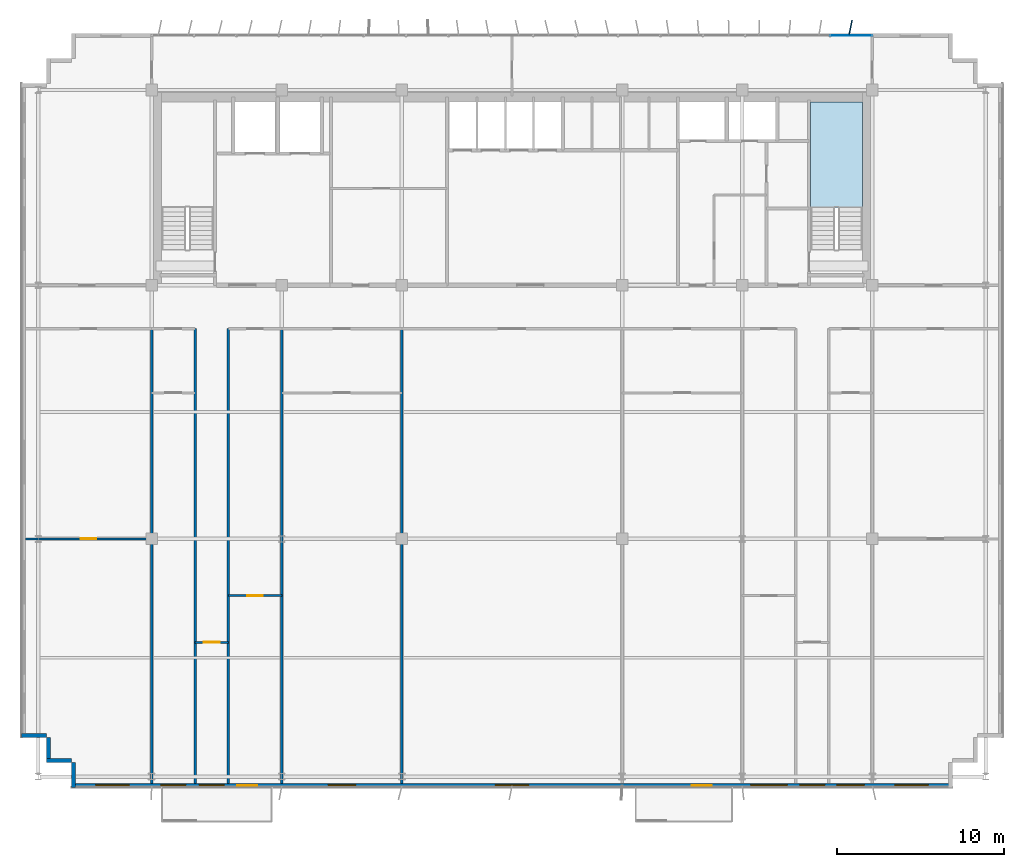
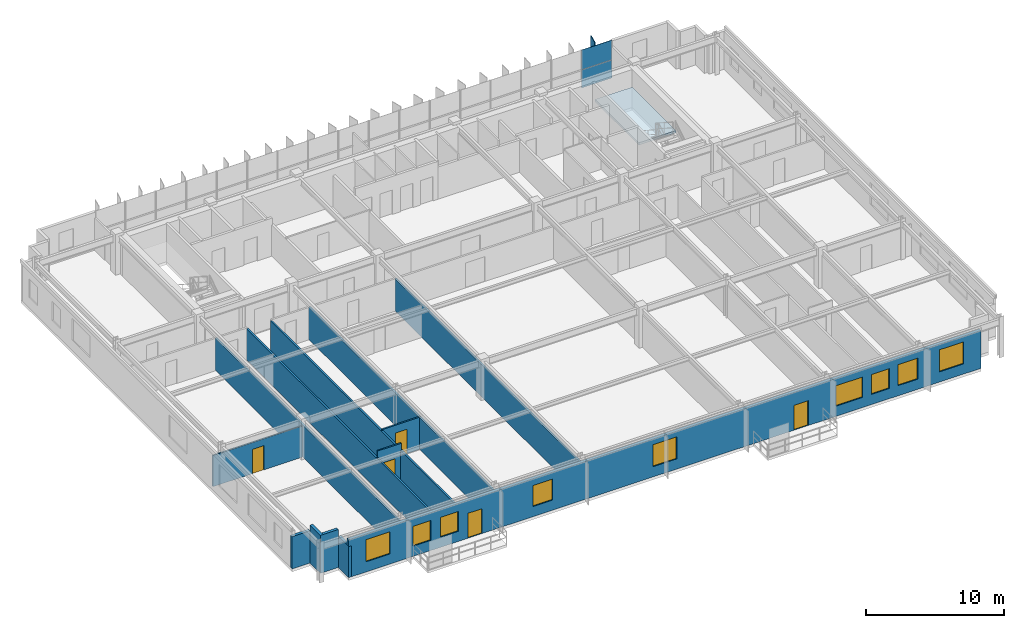
# One storey, part 14 of 20: 13 walls, 9 windows, 5 doors, 3 plates, 1 slab, 14 openings, 2 elements without a shape of their own.
"""IFC4 building model written with IfcOpenShell, lengths in metres."""

from ifc_helpers import new_model, si_unit, direction, frame, frame_2d, origin, origin_2d, place, context, subcontext, project, spatial, polyline, rectangle, outline, extrude, source, transform, mapped, material, layer, layer_set, type_object, element, fill, aggregate, save


model = new_model("IFC4")

# Units and contexts
model_context = context("Model", 3, precision=1e-05, world=origin(), true_north=direction((0.0, 1.0)))
body_context = subcontext(model_context, "Body", "Model", "MODEL_VIEW")
ifc_project = project(units=[si_unit("LENGTHUNIT", "METRE"), si_unit("AREAUNIT", "SQUARE_METRE"), si_unit("VOLUMEUNIT", "CUBIC_METRE"), si_unit("PLANEANGLEUNIT", "RADIAN"), si_unit("MASSUNIT", "GRAM", prefix="KILO")], contexts=[model_context])

# Site, building, storey
site_placement = place(None, origin())
site = spatial("IfcSite", under=ifc_project, at=site_placement, CompositionType="ELEMENT")
building_placement = place(site_placement, origin())
building = spatial("IfcBuilding", under=site, at=building_placement, Name="Trelvane Seafront Commons", CompositionType="ELEMENT")
storey_placement = place(building_placement, frame((0.0, 0.0, 146.5)))
storey = spatial("IfcBuildingStorey", under=building, at=storey_placement, Name="L38", CompositionType="ELEMENT", Elevation=146.5)

# Stair, slab
ifc_material_1 = material(Name="Concrete C40/50", Category="concrete")
stair_type = type_object("IfcStairType", Name="ARCH-STR-ST-2-R20-180", PredefinedType="HALF_TURN_STAIR", material=ifc_material_1)
stair_placement = place(storey_placement, origin())
stair = element("IfcStair", 1, at=stair_placement, inside=storey, type_object=stair_type, Name="L38 East Protected Firefighting Exit Stair ST-2", PredefinedType="HALF_TURN_STAIR")
ifc_layer_1 = layer(ifc_material_1, 0.199951171875, Name="ARCH-LND-200")
ifc_layer_set_1 = layer_set([ifc_layer_1], Name="Concrete C40/50")
slab_type = type_object("IfcSlabType", Name="ARCH-LND-200", PredefinedType="LANDING", material=ifc_layer_set_1)
slab_placement = place(storey_placement, frame((0.0, 0.0, 1.60009765625)))
slab = element("IfcSlab", 2, at=slab_placement, type_object=slab_type, Name="ST-2 landing 1", PredefinedType="LANDING", context=body_context, shape_type="SweptSolid", body=[
    extrude(outline(polyline([(58.199951171875, 38.070068359375), (58.199951171875, 44.39990234375), (55.10009765625, 44.39990234375), (55.10009765625, 38.070068359375), (58.199951171875, 38.070068359375)])), origin(), (0.0, 0.0, 1.0), 0.199951171875),
])
aggregate(stair, [slab])

# Plate
ifc_material_2 = material(Name="Anodised pale-silver aluminium", Category="aluminium")
ifc_layer_2 = layer(ifc_material_2, 0.06005859375, Name="ARCH-PLATE-FIN900")
ifc_layer_set_2 = layer_set([ifc_layer_2], Name="Anodised pale-silver aluminium")
plate_type_1 = type_object("IfcPlateType", Name="ARCH-PLATE-FIN900", PredefinedType="USERDEFINED", material=ifc_layer_set_2)
shared_shape_1 = source(origin(), body_context, "Body", "SweptSolid", [
    extrude(rectangle(XDim=0.89990234375, YDim=0.06005859375, at=origin_2d()), origin(), (0.0, 0.0, 1.0), 3.639892578125),
])
plate_1_placement = place(storey_placement, frame((57.490478515625, 48.8408203125, -0.02001953125), z_axis=(0.0, 0.0, 1.0), x_axis=(0.201113824319, 0.979567879051, 0.0)))
element("IfcPlate", 3, at=plate_1_placement, inside=storey, type_object=plate_type_1, Name="FIN-L38-01053", ObjectType="FIN", PredefinedType="USERDEFINED", context=body_context, shape_type="MappedRepresentation", body=[
    mapped(shared_shape_1, transform((0.0, 0.0, 0.0), x_axis=(1.0, 0.0, 0.0), y_axis=(0.0, 1.0, 0.0), z_axis=(0.0, 0.0, 1.0), scale=1.0)),
])

# Curtain wall, plates
curtain_wall_type = type_object("IfcCurtainWallType", Name="ARCH-CW5-UPTOWER", PredefinedType="NOTDEFINED", material=ifc_material_2)
curtain_wall_placement = place(storey_placement, origin())
curtain_wall = element("IfcCurtainWall", 4, at=curtain_wall_placement, inside=storey, type_object=curtain_wall_type, Name="CW-L38-0065", PredefinedType="NOTDEFINED")
ifc_material_3 = material(Name="Low-E coastal double glazing", Category="glass")
ifc_layer_3 = layer(ifc_material_3, 0.033935546875, Name="ARCH-CW-GLAZ-34")
ifc_layer_set_3 = layer_set([ifc_layer_3], Name="Low-E coastal double glazing")
plate_type_2 = type_object("IfcPlateType", Name="ARCH-CW-GLAZ-34", PredefinedType="CURTAIN_PANEL", material=ifc_layer_set_3)
shared_shape_2 = source(origin(), body_context, "Body", "SweptSolid", [
    extrude(rectangle(XDim=2.51708984375, YDim=0.033935546875, at=origin_2d()), origin(), (0.0, 0.0, 1.0), 1.590087890625),
])
plate_2_placement = place(storey_placement, frame((57.529296875, 48.3701171875, 0.0), z_axis=(0.0, 0.0, 1.0), x_axis=(1.0, 0.0, 0.0)))
plate_2 = element("IfcPlate", 5, at=plate_2_placement, type_object=plate_type_2, Name="CW-L38-0065-P16-1", PredefinedType="CURTAIN_PANEL", context=body_context, shape_type="MappedRepresentation", body=[
    mapped(shared_shape_2, transform((0.0, 0.0, 0.0), x_axis=(1.0, 0.0, 0.0), y_axis=(0.0, 1.0, 0.0), z_axis=(0.0, 0.0, 1.0), scale=1.0)),
])
shared_shape_3 = source(origin(), body_context, "Body", "SweptSolid", [
    extrude(rectangle(XDim=2.51708984375, YDim=0.033935546875, at=origin_2d()), origin(), (0.0, 0.0, 1.0), 1.72412109375),
])
plate_3_placement = place(storey_placement, frame((57.529296875, 48.3701171875, 1.6259765625), z_axis=(0.0, 0.0, 1.0), x_axis=(1.0, 0.0, 0.0)))
plate_3 = element("IfcPlate", 6, at=plate_3_placement, type_object=plate_type_2, Name="CW-L38-0065-P16-2", PredefinedType="CURTAIN_PANEL", context=body_context, shape_type="MappedRepresentation", body=[
    mapped(shared_shape_3, transform((0.0, 0.0, 0.0), x_axis=(1.0, 0.0, 0.0), y_axis=(0.0, 1.0, 0.0), z_axis=(0.0, 0.0, 1.0), scale=1.0)),
])
aggregate(curtain_wall, [plate_2, plate_3])

# Walls
ifc_material_4 = material(Name="Precast concrete C40/50", Category="concrete")
ifc_layer_4 = layer(ifc_material_4, 0.239990234375, Name="ARCH-WALL-EXT240")
ifc_layer_set_4 = layer_set([ifc_layer_4], Name="Precast concrete C40/50")
wall_type_1 = type_object("IfcWallType", Name="ARCH-WALL-EXT240", PredefinedType="SOLIDWALL", material=ifc_layer_set_4)
for number, where, z_axis, x_axis, name in (
    (7, (10.800048828125, 4.919921875, 0.0), (0.0, 0.0, 1.0), (-1.0, 0.0, 0.0), "EW-L38-00739"),
    (8, (9.419921875, 4.800048828125, 0.0), (0.0, 0.0, 1.0), (0.0, 1.0, 0.0), "EW-L38-00740"),
):
    element("IfcWall", number, at=place(storey_placement, frame(where, z_axis=z_axis, x_axis=x_axis)), inside=storey, type_object=wall_type_1, Name=name, PredefinedType="SOLIDWALL", context=body_context, shape_type="SweptSolid", body=[
        extrude(rectangle(XDim=1.5, YDim=0.239990234375, at=frame_2d((0.75, 0.0))), origin(), (0.0, 0.0, 1.0), 3.35009765625),
    ])
wall_1_placement = place(storey_placement, frame((9.300048828125, 6.419921875, 0.0), z_axis=(0.0, 0.0, 1.0), x_axis=(-1.0, 0.0, 0.0)))
element("IfcWall", 9, at=wall_1_placement, inside=storey, type_object=wall_type_1, Name="EW-L38-00741", PredefinedType="SOLIDWALL", context=body_context, shape_type="SweptSolid", body=[
    extrude(rectangle(XDim=1.5, YDim=0.239990234375, at=frame_2d((0.75, 0.0))), origin(), (0.0, 0.0, 1.0), 2.85009765625),
])

# Wall, openings, doors, windows
wall_2_placement = place(storey_placement, frame((63.60009765625, 3.419921875, 0.0), z_axis=(0.0, 0.0, 1.0), x_axis=(-1.0, 0.0, 0.0)))
wall_2 = element("IfcWall", 10, at=wall_2_placement, inside=storey, type_object=wall_type_1, Name="EW-L38-00756", PredefinedType="SOLIDWALL", context=body_context, shape_type="SweptSolid", body=[
    extrude(rectangle(XDim=52.800048828125, YDim=0.239990234375, at=frame_2d((26.39990234375, 0.0))), origin(), (0.0, 0.0, 1.0), 3.35009765625),
])
opening_1_placement = place(wall_2_placement, frame((1.445068359375, 0.0, 0.89990234375)))
opening_1 = element("IfcOpeningElement", 11, at=opening_1_placement, cuts=wall_2, Name="Opening W06", PredefinedType="OPENING", context=body_context, shape_type="SweptSolid", body=[
    extrude(rectangle(XDim=2.0, YDim=1.949951171875, at=frame_2d((1.0, 0.97509765625))), frame((0.0, 0.1298828125, 0.0), z_axis=(0.0, -1.0, 0.0), x_axis=(1.0, 0.0, 0.0)), (0.0, 0.0, 1.0), 0.260009765625),
])
opening_2_placement = place(wall_2_placement, frame((5.27490234375, 0.0, 0.89990234375)))
opening_2 = element("IfcOpeningElement", 12, at=opening_2_placement, cuts=wall_2, Name="Opening W07", PredefinedType="OPENING", context=body_context, shape_type="SweptSolid", body=[
    extrude(rectangle(XDim=1.64990234375, YDim=1.85009765625, at=frame_2d((0.824951171875, 0.925048828125))), frame((0.0, 0.1298828125, 0.0), z_axis=(0.0, -1.0, 0.0), x_axis=(1.0, 0.0, 0.0)), (0.0, 0.0, 1.0), 0.260009765625),
])
opening_3_placement = place(wall_2_placement, frame((7.64990234375, 0.0, 0.89990234375)))
opening_3 = element("IfcOpeningElement", 13, at=opening_3_placement, cuts=wall_2, Name="Opening W03", PredefinedType="OPENING", context=body_context, shape_type="SweptSolid", body=[
    extrude(rectangle(XDim=1.5, YDim=1.75, at=frame_2d((0.75, 0.875))), frame((0.0, 0.1298828125, 0.0), z_axis=(0.0, -1.0, 0.0), x_axis=(1.0, 0.0, 0.0)), (0.0, 0.0, 1.0), 0.260009765625),
])
opening_4_placement = place(wall_2_placement, frame((9.89990234375, 0.0, 0.89990234375)))
opening_4 = element("IfcOpeningElement", 14, at=opening_4_placement, cuts=wall_2, Name="Opening W02", PredefinedType="OPENING", context=body_context, shape_type="SweptSolid", body=[
    extrude(rectangle(XDim=2.199951171875, YDim=1.800048828125, at=frame_2d((1.10009765625, 0.89990234375))), frame((0.0, 0.1298828125, 0.0), z_axis=(0.0, -1.0, 0.0), x_axis=(1.0, 0.0, 0.0)), (0.0, 0.0, 1.0), 0.260009765625),
])
opening_5_placement = place(wall_2_placement, frame((14.4169921875, 0.0, 0.0)))
opening_5 = element("IfcOpeningElement", 15, at=opening_5_placement, cuts=wall_2, Name="Opening BD-L38-89", PredefinedType="OPENING", context=body_context, shape_type="SweptSolid", body=[
    extrude(rectangle(XDim=1.199951171875, YDim=2.199951171875, at=frame_2d((0.60009765625, 1.10009765625))), frame((0.0, 0.1298828125, 0.0), z_axis=(0.0, -1.0, 0.0), x_axis=(1.0, 0.0, 0.0)), (0.0, 0.0, 1.0), 0.260009765625),
])
opening_6_placement = place(wall_2_placement, frame((25.39990234375, 0.0, 0.89990234375)))
opening_6 = element("IfcOpeningElement", 16, at=opening_6_placement, cuts=wall_2, Name="Opening W06", PredefinedType="OPENING", context=body_context, shape_type="SweptSolid", body=[
    extrude(rectangle(XDim=2.0, YDim=1.949951171875, at=frame_2d((1.0, 0.97509765625))), frame((0.0, 0.1298828125, 0.0), z_axis=(0.0, -1.0, 0.0), x_axis=(1.0, 0.0, 0.0)), (0.0, 0.0, 1.0), 0.260009765625),
])
opening_7_placement = place(wall_2_placement, frame((35.77490234375, 0.0, 0.89990234375)))
opening_7 = element("IfcOpeningElement", 17, at=opening_7_placement, cuts=wall_2, Name="Opening W07", PredefinedType="OPENING", context=body_context, shape_type="SweptSolid", body=[
    extrude(rectangle(XDim=1.64990234375, YDim=1.85009765625, at=frame_2d((0.824951171875, 0.925048828125))), frame((0.0, 0.1298828125, 0.0), z_axis=(0.0, -1.0, 0.0), x_axis=(1.0, 0.0, 0.0)), (0.0, 0.0, 1.0), 0.260009765625),
])
opening_8_placement = place(wall_2_placement, frame((41.656005859375, 0.0, 0.0)))
opening_8 = element("IfcOpeningElement", 18, at=opening_8_placement, cuts=wall_2, Name="Opening BD-L38-90", PredefinedType="OPENING", context=body_context, shape_type="SweptSolid", body=[
    extrude(rectangle(XDim=1.199951171875, YDim=2.199951171875, at=frame_2d((0.60009765625, 1.10009765625))), frame((0.0, 0.1298828125, 0.0), z_axis=(0.0, -1.0, 0.0), x_axis=(1.0, 0.0, 0.0)), (0.0, 0.0, 1.0), 0.260009765625),
])
opening_9_placement = place(wall_2_placement, frame((43.64990234375, 0.0, 0.89990234375)))
opening_9 = element("IfcOpeningElement", 19, at=opening_9_placement, cuts=wall_2, Name="Opening W03", PredefinedType="OPENING", context=body_context, shape_type="SweptSolid", body=[
    extrude(rectangle(XDim=1.5, YDim=1.75, at=frame_2d((0.75, 0.875))), frame((0.0, 0.1298828125, 0.0), z_axis=(0.0, -1.0, 0.0), x_axis=(1.0, 0.0, 0.0)), (0.0, 0.0, 1.0), 0.260009765625),
])
opening_10_placement = place(wall_2_placement, frame((45.949951171875, 0.0, 0.89990234375)))
opening_10 = element("IfcOpeningElement", 20, at=opening_10_placement, cuts=wall_2, Name="Opening W03", PredefinedType="OPENING", context=body_context, shape_type="SweptSolid", body=[
    extrude(rectangle(XDim=1.5, YDim=1.75, at=frame_2d((0.75, 0.875))), frame((0.0, 0.1298828125, 0.0), z_axis=(0.0, -1.0, 0.0), x_axis=(1.0, 0.0, 0.0)), (0.0, 0.0, 1.0), 0.260009765625),
])
opening_11_placement = place(wall_2_placement, frame((49.35498046875, 0.0, 0.89990234375)))
opening_11 = element("IfcOpeningElement", 21, at=opening_11_placement, cuts=wall_2, Name="Opening W06", PredefinedType="OPENING", context=body_context, shape_type="SweptSolid", body=[
    extrude(rectangle(XDim=2.0, YDim=1.949951171875, at=frame_2d((1.0, 0.97509765625))), frame((0.0, 0.1298828125, 0.0), z_axis=(0.0, -1.0, 0.0), x_axis=(1.0, 0.0, 0.0)), (0.0, 0.0, 1.0), 0.260009765625),
])
ifc_material_5 = material(Name="Powder-coated aluminium frame", Category="aluminium")
door_type_1 = type_object("IfcDoorType", Name="ARCH-DR-BAL1200", OperationType="NOTDEFINED", PredefinedType="DOOR", material=ifc_material_5)
shared_shape_4 = source(origin(), body_context, "Body", "SweptSolid", [
    extrude(rectangle(XDim=1.199951171875, YDim=2.199951171875, at=frame_2d((0.60009765625, 1.10009765625))), frame((0.0, 0.02490234375, 0.0), z_axis=(0.0, -1.0, 0.0), x_axis=(1.0, 0.0, 0.0)), (0.0, 0.0, 1.0), 0.050048828125),
])
door_1_placement = place(opening_5_placement, origin())
door_1 = element("IfcDoor", 22, at=door_1_placement, inside=storey, type_object=door_type_1, Name="L38 Balcony Terrace Access Door", OperationType="SINGLE_SWING_LEFT", OverallHeight=2.199951171875, OverallWidth=1.199951171875, PredefinedType="DOOR", context=body_context, shape_type="MappedRepresentation", body=[
    mapped(shared_shape_4, transform((0.0, 0.0, 0.0), x_axis=(1.0, 0.0, 0.0), y_axis=(0.0, 1.0, 0.0), z_axis=(0.0, 0.0, 1.0), scale=1.0)),
])
fill(opening_5, door_1)
door_2_placement = place(opening_8_placement, origin())
door_2 = element("IfcDoor", 23, at=door_2_placement, inside=storey, type_object=door_type_1, Name="L38 Balcony Terrace Access Door", OperationType="SINGLE_SWING_LEFT", OverallHeight=2.199951171875, OverallWidth=1.199951171875, PredefinedType="DOOR", context=body_context, shape_type="MappedRepresentation", body=[
    mapped(shared_shape_4, transform((0.0, 0.0, 0.0), x_axis=(1.0, 0.0, 0.0), y_axis=(0.0, 1.0, 0.0), z_axis=(0.0, 0.0, 1.0), scale=1.0)),
])
fill(opening_8, door_2)
window_type_1 = type_object("IfcWindowType", Name="ARCH-WIN-W02", PartitioningType="SINGLE_PANEL", PredefinedType="WINDOW", material=ifc_material_3)
shared_shape_5 = source(origin(), body_context, "Body", "SweptSolid", [
    extrude(rectangle(XDim=2.199951171875, YDim=1.800048828125, at=frame_2d((1.10009765625, 0.89990234375))), frame((0.0, 0.030029296875, 0.0), z_axis=(0.0, -1.0, 0.0), x_axis=(1.0, 0.0, 0.0)), (0.0, 0.0, 1.0), 0.06005859375),
])
window_1_placement = place(opening_4_placement, origin())
window_1 = element("IfcWindow", 24, at=window_1_placement, inside=storey, type_object=window_type_1, Name="WIN-L38-00894", OverallHeight=1.800048828125, OverallWidth=2.199951171875, PartitioningType="SINGLE_PANEL", PredefinedType="WINDOW", context=body_context, shape_type="MappedRepresentation", body=[
    mapped(shared_shape_5, transform((0.0, 0.0, 0.0), x_axis=(1.0, 0.0, 0.0), y_axis=(0.0, 1.0, 0.0), z_axis=(0.0, 0.0, 1.0), scale=1.0)),
])
fill(opening_4, window_1)
window_type_2 = type_object("IfcWindowType", Name="ARCH-WIN-W03", PartitioningType="SINGLE_PANEL", PredefinedType="WINDOW", material=ifc_material_3)
shared_shape_6 = source(origin(), body_context, "Body", "SweptSolid", [
    extrude(rectangle(XDim=1.5, YDim=1.75, at=frame_2d((0.75, 0.875))), frame((0.0, 0.030029296875, 0.0), z_axis=(0.0, -1.0, 0.0), x_axis=(1.0, 0.0, 0.0)), (0.0, 0.0, 1.0), 0.06005859375),
])
window_2_placement = place(opening_3_placement, origin())
window_2 = element("IfcWindow", 25, at=window_2_placement, inside=storey, type_object=window_type_2, Name="WIN-L38-00893", OverallHeight=1.75, OverallWidth=1.5, PartitioningType="SINGLE_PANEL", PredefinedType="WINDOW", context=body_context, shape_type="MappedRepresentation", body=[
    mapped(shared_shape_6, transform((0.0, 0.0, 0.0), x_axis=(1.0, 0.0, 0.0), y_axis=(0.0, 1.0, 0.0), z_axis=(0.0, 0.0, 1.0), scale=1.0)),
])
fill(opening_3, window_2)
window_3_placement = place(opening_9_placement, origin())
window_3 = element("IfcWindow", 26, at=window_3_placement, inside=storey, type_object=window_type_2, Name="WIN-L38-00897", OverallHeight=1.75, OverallWidth=1.5, PartitioningType="SINGLE_PANEL", PredefinedType="WINDOW", context=body_context, shape_type="MappedRepresentation", body=[
    mapped(shared_shape_6, transform((0.0, 0.0, 0.0), x_axis=(1.0, 0.0, 0.0), y_axis=(0.0, 1.0, 0.0), z_axis=(0.0, 0.0, 1.0), scale=1.0)),
])
fill(opening_9, window_3)
window_4_placement = place(opening_10_placement, origin())
window_4 = element("IfcWindow", 27, at=window_4_placement, inside=storey, type_object=window_type_2, Name="WIN-L38-00898", OverallHeight=1.75, OverallWidth=1.5, PartitioningType="SINGLE_PANEL", PredefinedType="WINDOW", context=body_context, shape_type="MappedRepresentation", body=[
    mapped(shared_shape_6, transform((0.0, 0.0, 0.0), x_axis=(1.0, 0.0, 0.0), y_axis=(0.0, 1.0, 0.0), z_axis=(0.0, 0.0, 1.0), scale=1.0)),
])
fill(opening_10, window_4)
window_type_3 = type_object("IfcWindowType", Name="ARCH-WIN-W06", PartitioningType="SINGLE_PANEL", PredefinedType="WINDOW", material=ifc_material_3)
shared_shape_7 = source(origin(), body_context, "Body", "SweptSolid", [
    extrude(rectangle(XDim=2.0, YDim=1.949951171875, at=frame_2d((1.0, 0.97509765625))), frame((0.0, 0.030029296875, 0.0), z_axis=(0.0, -1.0, 0.0), x_axis=(1.0, 0.0, 0.0)), (0.0, 0.0, 1.0), 0.06005859375),
])
window_5_placement = place(opening_1_placement, origin())
window_5 = element("IfcWindow", 28, at=window_5_placement, inside=storey, type_object=window_type_3, Name="WIN-L38-00891", OverallHeight=1.949951171875, OverallWidth=2.0, PartitioningType="SINGLE_PANEL", PredefinedType="WINDOW", context=body_context, shape_type="MappedRepresentation", body=[
    mapped(shared_shape_7, transform((0.0, 0.0, 0.0), x_axis=(1.0, 0.0, 0.0), y_axis=(0.0, 1.0, 0.0), z_axis=(0.0, 0.0, 1.0), scale=1.0)),
])
fill(opening_1, window_5)
window_6_placement = place(opening_6_placement, origin())
window_6 = element("IfcWindow", 29, at=window_6_placement, inside=storey, type_object=window_type_3, Name="WIN-L38-00895", OverallHeight=1.949951171875, OverallWidth=2.0, PartitioningType="SINGLE_PANEL", PredefinedType="WINDOW", context=body_context, shape_type="MappedRepresentation", body=[
    mapped(shared_shape_7, transform((0.0, 0.0, 0.0), x_axis=(1.0, 0.0, 0.0), y_axis=(0.0, 1.0, 0.0), z_axis=(0.0, 0.0, 1.0), scale=1.0)),
])
fill(opening_6, window_6)
window_7_placement = place(opening_11_placement, origin())
window_7 = element("IfcWindow", 30, at=window_7_placement, inside=storey, type_object=window_type_3, Name="WIN-L38-00899", OverallHeight=1.949951171875, OverallWidth=2.0, PartitioningType="SINGLE_PANEL", PredefinedType="WINDOW", context=body_context, shape_type="MappedRepresentation", body=[
    mapped(shared_shape_7, transform((0.0, 0.0, 0.0), x_axis=(1.0, 0.0, 0.0), y_axis=(0.0, 1.0, 0.0), z_axis=(0.0, 0.0, 1.0), scale=1.0)),
])
fill(opening_11, window_7)
window_type_4 = type_object("IfcWindowType", Name="ARCH-WIN-W07", PartitioningType="SINGLE_PANEL", PredefinedType="WINDOW", material=ifc_material_3)
shared_shape_8 = source(origin(), body_context, "Body", "SweptSolid", [
    extrude(rectangle(XDim=1.64990234375, YDim=1.85009765625, at=frame_2d((0.824951171875, 0.925048828125))), frame((0.0, 0.030029296875, 0.0), z_axis=(0.0, -1.0, 0.0), x_axis=(1.0, 0.0, 0.0)), (0.0, 0.0, 1.0), 0.06005859375),
])
window_8_placement = place(opening_2_placement, origin())
window_8 = element("IfcWindow", 31, at=window_8_placement, inside=storey, type_object=window_type_4, Name="WIN-L38-00892", OverallHeight=1.85009765625, OverallWidth=1.64990234375, PartitioningType="SINGLE_PANEL", PredefinedType="WINDOW", context=body_context, shape_type="MappedRepresentation", body=[
    mapped(shared_shape_8, transform((0.0, 0.0, 0.0), x_axis=(1.0, 0.0, 0.0), y_axis=(0.0, 1.0, 0.0), z_axis=(0.0, 0.0, 1.0), scale=1.0)),
])
fill(opening_2, window_8)
window_9_placement = place(opening_7_placement, origin())
window_9 = element("IfcWindow", 32, at=window_9_placement, inside=storey, type_object=window_type_4, Name="WIN-L38-00896", OverallHeight=1.85009765625, OverallWidth=1.64990234375, PartitioningType="SINGLE_PANEL", PredefinedType="WINDOW", context=body_context, shape_type="MappedRepresentation", body=[
    mapped(shared_shape_8, transform((0.0, 0.0, 0.0), x_axis=(1.0, 0.0, 0.0), y_axis=(0.0, 1.0, 0.0), z_axis=(0.0, 0.0, 1.0), scale=1.0)),
])
fill(opening_7, window_9)

# Wall
wall_3_placement = place(storey_placement, frame((10.919921875, 3.300048828125, 0.0), z_axis=(0.0, 0.0, 1.0), x_axis=(0.0, 1.0, 0.0)))
element("IfcWall", 33, at=wall_3_placement, inside=storey, type_object=wall_type_1, Name="EW-L38-00757", PredefinedType="SOLIDWALL", context=body_context, shape_type="SweptSolid", body=[
    extrude(rectangle(XDim=1.5, YDim=0.239990234375, at=frame_2d((0.75, 0.0))), origin(), (0.0, 0.0, 1.0), 2.75),
])

# Wall, opening, door
ifc_material_6 = material(Name="Gypsum Drywall Acoustic Partition")
ifc_layer_5 = layer(ifc_material_6, 0.1201171875, Name="ARCH-WALL-PART120")
ifc_layer_set_5 = layer_set([ifc_layer_5], Name="Gypsum Drywall Acoustic Partition")
wall_type_2 = type_object("IfcWallType", Name="ARCH-WALL-PART120", PredefinedType="PARTITIONING", material=ifc_layer_set_5)
wall_4_placement = place(storey_placement, frame((8.02490234375, 18.199951171875, 0.0), z_axis=(0.0, 0.0, 1.0), x_axis=(1.0, 0.0, 0.0)))
wall_4 = element("IfcWall", 34, at=wall_4_placement, inside=storey, type_object=wall_type_2, Name="W-L38-U1-DIV-048", PredefinedType="PARTITIONING", context=body_context, shape_type="SweptSolid", body=[
    extrude(rectangle(XDim=7.5751953125, YDim=0.1201171875, at=frame_2d((3.78759765625, 0.0))), origin(), (0.0, 0.0, 1.0), 2.75),
])
opening_12_placement = place(wall_4_placement, frame((3.31201171875, 0.0, 0.0)))
opening_12 = element("IfcOpeningElement", 35, at=opening_12_placement, cuts=wall_4, Name="Opening D-L38-25", PredefinedType="OPENING", context=body_context, shape_type="SweptSolid", body=[
    extrude(rectangle(XDim=0.949951171875, YDim=2.14990234375, at=frame_2d((0.47509765625, 1.074951171875))), frame((0.0, 0.070068359375, 0.0), z_axis=(0.0, -1.0, 0.0), x_axis=(1.0, 0.0, 0.0)), (0.0, 0.0, 1.0), 0.14013671875),
])
ifc_material_7 = material(Name="Acoustic timber door leaf", Category="wood")
door_type_2 = type_object("IfcDoorType", Name="ARCH-DR-INT950", OperationType="NOTDEFINED", PredefinedType="DOOR", material=ifc_material_7)
shared_shape_9 = source(origin(), body_context, "Body", "SweptSolid", [
    extrude(rectangle(XDim=0.949951171875, YDim=2.14990234375, at=frame_2d((0.47509765625, 1.074951171875))), frame((0.0, 0.02490234375, 0.0), z_axis=(0.0, -1.0, 0.0), x_axis=(1.0, 0.0, 0.0)), (0.0, 0.0, 1.0), 0.050048828125),
])
door_3_placement = place(opening_12_placement, origin())
door_3 = element("IfcDoor", 36, at=door_3_placement, inside=storey, type_object=door_type_2, Name="L38 Door 25", OperationType="SINGLE_SWING_LEFT", OverallHeight=2.14990234375, OverallWidth=0.949951171875, PredefinedType="DOOR", context=body_context, shape_type="MappedRepresentation", body=[
    mapped(shared_shape_9, transform((0.0, 0.0, 0.0), x_axis=(1.0, 0.0, 0.0), y_axis=(0.0, 1.0, 0.0), z_axis=(0.0, 0.0, 1.0), scale=1.0)),
])
fill(opening_12, door_3)

wall_5_placement = place(storey_placement, frame((18.199951171875, 12.0, 0.0), z_axis=(0.0, 0.0, 1.0), x_axis=(1.0, 0.0, 0.0)))
wall_5 = element("IfcWall", 37, at=wall_5_placement, inside=storey, type_object=wall_type_2, Name="W-L38-ARM-END-3-053", PredefinedType="PARTITIONING", context=body_context, shape_type="SweptSolid", body=[
    extrude(rectangle(XDim=2.0, YDim=0.1201171875, at=frame_2d((1.0, 0.0))), origin(), (0.0, 0.0, 1.0), 3.35009765625),
])
opening_13_placement = place(wall_5_placement, frame((0.52001953125, 0.0, 0.0)))
opening_13 = element("IfcOpeningElement", 38, at=opening_13_placement, cuts=wall_5, Name="Opening D-L38-28", PredefinedType="OPENING", context=body_context, shape_type="SweptSolid", body=[
    extrude(rectangle(XDim=0.949951171875, YDim=2.14990234375, at=frame_2d((0.47509765625, 1.074951171875))), frame((0.0, 0.070068359375, 0.0), z_axis=(0.0, -1.0, 0.0), x_axis=(1.0, 0.0, 0.0)), (0.0, 0.0, 1.0), 0.14013671875),
])
door_4_placement = place(opening_13_placement, origin())
door_4 = element("IfcDoor", 39, at=door_4_placement, inside=storey, type_object=door_type_2, Name="L38 Door 28", OperationType="SINGLE_SWING_RIGHT", OverallHeight=2.14990234375, OverallWidth=0.949951171875, PredefinedType="DOOR", context=body_context, shape_type="MappedRepresentation", body=[
    mapped(shared_shape_9, transform((0.0, 0.0, 0.0), x_axis=(1.0, 0.0, 0.0), y_axis=(0.0, 1.0, 0.0), z_axis=(0.0, 0.0, 1.0), scale=1.0)),
])
fill(opening_13, door_4)

wall_6_placement = place(storey_placement, frame((20.199951171875, 14.800048828125, 0.0), z_axis=(0.0, 0.0, 1.0), x_axis=(1.0, 0.0, 0.0)))
wall_6 = element("IfcWall", 40, at=wall_6_placement, inside=storey, type_object=wall_type_2, Name="W-L38-U4-DIV-055", PredefinedType="PARTITIONING", context=body_context, shape_type="SweptSolid", body=[
    extrude(rectangle(XDim=3.199951171875, YDim=0.1201171875, at=frame_2d((1.60009765625, 0.0))), origin(), (0.0, 0.0, 1.0), 2.85009765625),
])
opening_14_placement = place(wall_6_placement, frame((1.125, 0.0, 0.0)))
opening_14 = element("IfcOpeningElement", 41, at=opening_14_placement, cuts=wall_6, Name="Opening D-L38-30", PredefinedType="OPENING", context=body_context, shape_type="SweptSolid", body=[
    extrude(rectangle(XDim=0.949951171875, YDim=2.14990234375, at=frame_2d((0.47509765625, 1.074951171875))), frame((0.0, 0.070068359375, 0.0), z_axis=(0.0, -1.0, 0.0), x_axis=(1.0, 0.0, 0.0)), (0.0, 0.0, 1.0), 0.14013671875),
])
door_5_placement = place(opening_14_placement, origin())
door_5 = element("IfcDoor", 42, at=door_5_placement, inside=storey, type_object=door_type_2, Name="L38 Door 30", OperationType="SINGLE_SWING_RIGHT", OverallHeight=2.14990234375, OverallWidth=0.949951171875, PredefinedType="DOOR", context=body_context, shape_type="MappedRepresentation", body=[
    mapped(shared_shape_9, transform((0.0, 0.0, 0.0), x_axis=(1.0, 0.0, 0.0), y_axis=(0.0, 1.0, 0.0), z_axis=(0.0, 0.0, 1.0), scale=1.0)),
])
fill(opening_14, door_5)

# Walls
ifc_layer_6 = layer(ifc_material_6, 0.14990234375, Name="ARCH-WALL-PART150")
ifc_layer_set_6 = layer_set([ifc_layer_6], Name="Gypsum Drywall Acoustic Partition")
wall_type_3 = type_object("IfcWallType", Name="ARCH-WALL-PART150", PredefinedType="PARTITIONING", material=ifc_layer_set_6)
for number, where, z_axis, x_axis, name in (
    (43, (15.60009765625, 3.52490234375, 0.0), (0.0, 0.0, 1.0), (0.0, 1.0, 0.0), "W-L38-PW-1-041"),
    (44, (23.39990234375, 3.52490234375, 0.0), (0.0, 0.0, 1.0), (0.0, 1.0, 0.0), "W-L38-PW-4-042"),
    (45, (30.60009765625, 3.52490234375, 0.0), (0.0, 0.0, 1.0), (0.0, 1.0, 0.0), "W-L38-PW-5-043"),
):
    element("IfcWall", number, at=place(storey_placement, frame(where, z_axis=z_axis, x_axis=x_axis)), inside=storey, type_object=wall_type_3, Name=name, PredefinedType="PARTITIONING", context=body_context, shape_type="SweptSolid", body=[
        extrude(rectangle(XDim=27.275146484375, YDim=0.14990234375, at=frame_2d((13.6376953125, 0.0))), origin(), (0.0, 0.0, 1.0), 2.85009765625),
    ])
for number, where, z_axis, x_axis, name in (
    (46, (18.199951171875, 3.52490234375, 0.0), (0.0, 0.0, 1.0), (0.0, 1.0, 0.0), "W-L38-ARM-W-3-051"),
    (47, (20.199951171875, 3.52490234375, 0.0), (0.0, 0.0, 1.0), (0.0, 1.0, 0.0), "W-L38-ARM-E-3-052"),
):
    element("IfcWall", number, at=place(storey_placement, frame(where, z_axis=z_axis, x_axis=x_axis)), inside=storey, type_object=wall_type_3, Name=name, PredefinedType="PARTITIONING", context=body_context, shape_type="SweptSolid", body=[
        extrude(rectangle(XDim=27.275146484375, YDim=0.14990234375, at=frame_2d((13.6376953125, 0.0))), origin(), (0.0, 0.0, 1.0), 2.75),
    ])

save(model, "model.ifc")
